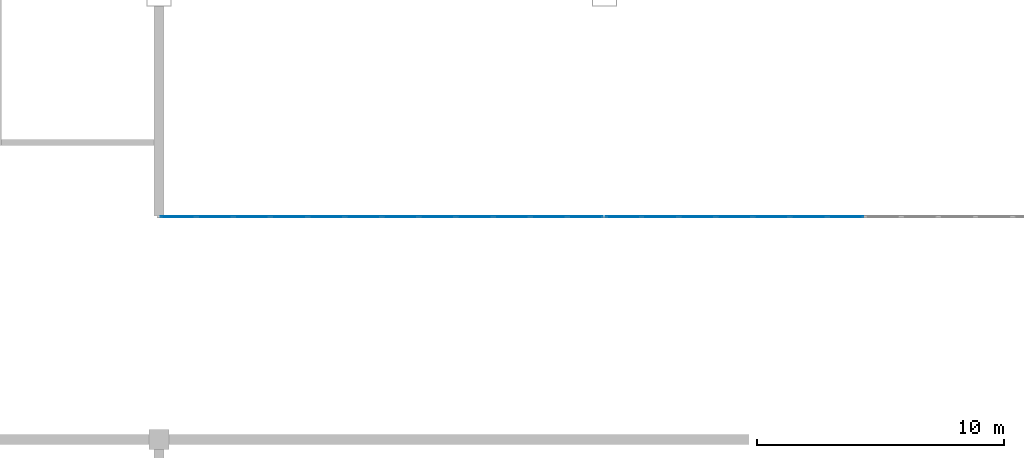
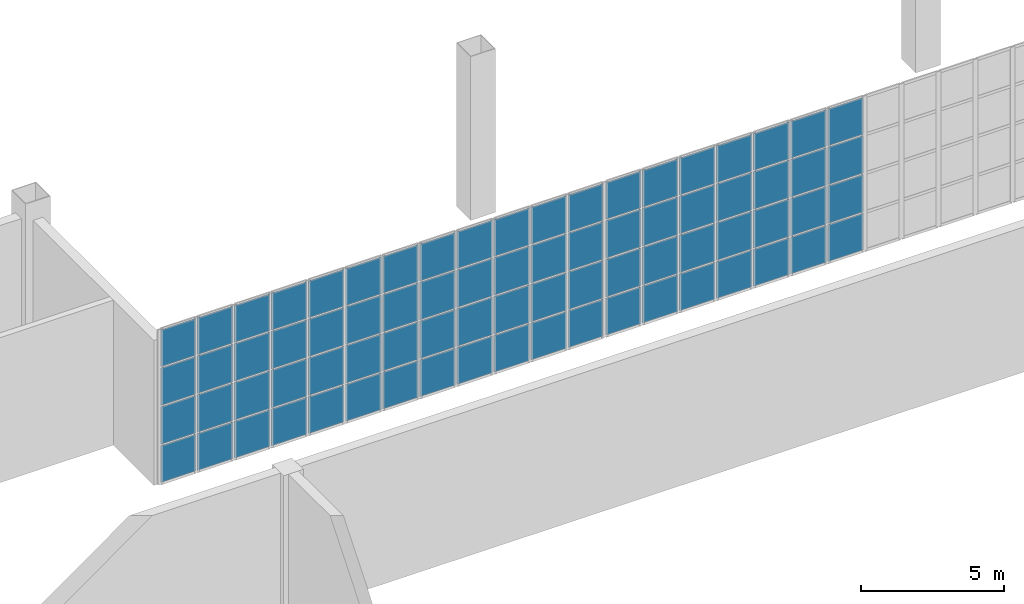
# One storey, part 64 of 85: 76 plates, 2 elements without a shape of their own.
"""IFC4 building model written with IfcOpenShell, lengths in metres."""

from ifc_helpers import new_model, si_unit, direction, frame, origin, origin_2d, place, context, subcontext, project, spatial, rectangle, extrude, material, layer, layer_set, type_object, element, aggregate, save


model = new_model("IFC4")

# Units and contexts
model_context = context("Model", 3, precision=1e-05, world=origin(), true_north=direction((0.0, 1.0)))
body_context = subcontext(model_context, "Body", "Model", "MODEL_VIEW")
ifc_project = project(units=[si_unit("LENGTHUNIT", "METRE"), si_unit("AREAUNIT", "SQUARE_METRE"), si_unit("VOLUMEUNIT", "CUBIC_METRE"), si_unit("PLANEANGLEUNIT", "RADIAN"), si_unit("MASSUNIT", "GRAM", prefix="KILO")], contexts=[model_context])

# Site, building, storey
site_placement = place(None, origin())
site = spatial("IfcSite", under=ifc_project, at=site_placement, CompositionType="ELEMENT")
building_placement = place(site_placement, origin())
building = spatial("IfcBuilding", under=site, at=building_placement, Name="Opaline Strait Convention Centre", CompositionType="ELEMENT")
storey_placement = place(building_placement, frame((0.0, 0.0, 17.0)))
storey = spatial("IfcBuildingStorey", under=building, at=storey_placement, Name="L03", CompositionType="ELEMENT", Elevation=17.0)

# Curtain wall, plates
ifc_material_1 = material(Name="Aluminium framed glazing", Category="aluminium")
ifc_layer_1 = layer(ifc_material_1, 0.199951171875)
ifc_layer_set_1 = layer_set([ifc_layer_1], Name="Aluminium framed glazing")
curtain_wall_type = type_object("IfcCurtainWallType", Name="Entrance curtain wall 1500", PredefinedType="NOTDEFINED", material=ifc_layer_set_1)
curtain_wall_1_placement = place(storey_placement, origin())
curtain_wall_1 = element("IfcCurtainWall", 1, at=curtain_wall_1_placement, inside=storey, type_object=curtain_wall_type, Name="Entrance curtain wall L03-R1", PredefinedType="NOTDEFINED")
ifc_material_2 = material(Name="Double glazed unit low emissivity", Category="glass")
ifc_layer_2 = layer(ifc_material_2, 0.028076171875)
ifc_layer_set_2 = layer_set([ifc_layer_2], Name="Double glazed unit low emissivity")
plate_type = type_object("IfcPlateType", Name="Curtain wall glass panel 28", PredefinedType="CURTAIN_PANEL", material=ifc_layer_set_2)
plate_1_placement = place(storey_placement, frame((153.764892578125, 144.0, 0.06005859375), z_axis=(0.0, 0.0, 1.0), x_axis=(1.0, 0.0, 0.0)))
plate_1 = element("IfcPlate", 2, at=plate_1_placement, type_object=plate_type, Name="XCW panel 1.1", PredefinedType="CURTAIN_PANEL", context=body_context, shape_type="SweptSolid", body=[
    extrude(rectangle(XDim=1.409912109375, YDim=0.028076171875, at=origin_2d()), origin(), (0.0, 0.0, 1.0), 1.570068359375),
])
plate_2_placement = place(storey_placement, frame((153.764892578125, 144.0, 1.68994140625), z_axis=(0.0, 0.0, 1.0), x_axis=(1.0, 0.0, 0.0)))
plate_2 = element("IfcPlate", 3, at=plate_2_placement, type_object=plate_type, Name="XCW panel 1.2", PredefinedType="CURTAIN_PANEL", context=body_context, shape_type="SweptSolid", body=[
    extrude(rectangle(XDim=1.409912109375, YDim=0.028076171875, at=origin_2d()), origin(), (0.0, 0.0, 1.0), 1.60009765625),
])
plate_3_placement = place(storey_placement, frame((153.764892578125, 144.0, 3.349853515625), z_axis=(0.0, 0.0, 1.0), x_axis=(1.0, 0.0, 0.0)))
plate_3 = element("IfcPlate", 4, at=plate_3_placement, type_object=plate_type, Name="XCW panel 1.3", PredefinedType="CURTAIN_PANEL", context=body_context, shape_type="SweptSolid", body=[
    extrude(rectangle(XDim=1.409912109375, YDim=0.028076171875, at=origin_2d()), origin(), (0.0, 0.0, 1.0), 1.60009765625),
])
plate_4_placement = place(storey_placement, frame((153.764892578125, 144.0, 5.009765625), z_axis=(0.0, 0.0, 1.0), x_axis=(1.0, 0.0, 0.0)))
plate_4 = element("IfcPlate", 5, at=plate_4_placement, type_object=plate_type, Name="XCW panel 1.4", PredefinedType="CURTAIN_PANEL", context=body_context, shape_type="SweptSolid", body=[
    extrude(rectangle(XDim=1.409912109375, YDim=0.028076171875, at=origin_2d()), origin(), (0.0, 0.0, 1.0), 1.570068359375),
])
plate_5_placement = place(storey_placement, frame((155.25, 144.0, 0.06005859375), z_axis=(0.0, 0.0, 1.0), x_axis=(1.0, 0.0, 0.0)))
plate_5 = element("IfcPlate", 6, at=plate_5_placement, type_object=plate_type, Name="XCW panel 2.1", PredefinedType="CURTAIN_PANEL", context=body_context, shape_type="SweptSolid", body=[
    extrude(rectangle(XDim=1.43994140625, YDim=0.028076171875, at=origin_2d()), origin(), (0.0, 0.0, 1.0), 1.570068359375),
])
plate_6_placement = place(storey_placement, frame((155.25, 144.0, 1.68994140625), z_axis=(0.0, 0.0, 1.0), x_axis=(1.0, 0.0, 0.0)))
plate_6 = element("IfcPlate", 7, at=plate_6_placement, type_object=plate_type, Name="XCW panel 2.2", PredefinedType="CURTAIN_PANEL", context=body_context, shape_type="SweptSolid", body=[
    extrude(rectangle(XDim=1.43994140625, YDim=0.028076171875, at=origin_2d()), origin(), (0.0, 0.0, 1.0), 1.60009765625),
])
plate_7_placement = place(storey_placement, frame((155.25, 144.0, 3.349853515625), z_axis=(0.0, 0.0, 1.0), x_axis=(1.0, 0.0, 0.0)))
plate_7 = element("IfcPlate", 8, at=plate_7_placement, type_object=plate_type, Name="XCW panel 2.3", PredefinedType="CURTAIN_PANEL", context=body_context, shape_type="SweptSolid", body=[
    extrude(rectangle(XDim=1.43994140625, YDim=0.028076171875, at=origin_2d()), origin(), (0.0, 0.0, 1.0), 1.60009765625),
])
plate_8_placement = place(storey_placement, frame((155.25, 144.0, 5.009765625), z_axis=(0.0, 0.0, 1.0), x_axis=(1.0, 0.0, 0.0)))
plate_8 = element("IfcPlate", 9, at=plate_8_placement, type_object=plate_type, Name="XCW panel 2.4", PredefinedType="CURTAIN_PANEL", context=body_context, shape_type="SweptSolid", body=[
    extrude(rectangle(XDim=1.43994140625, YDim=0.028076171875, at=origin_2d()), origin(), (0.0, 0.0, 1.0), 1.570068359375),
])
plate_9_placement = place(storey_placement, frame((156.75, 144.0, 0.06005859375), z_axis=(0.0, 0.0, 1.0), x_axis=(1.0, 0.0, 0.0)))
plate_9 = element("IfcPlate", 10, at=plate_9_placement, type_object=plate_type, Name="XCW panel 3.1", PredefinedType="CURTAIN_PANEL", context=body_context, shape_type="SweptSolid", body=[
    extrude(rectangle(XDim=1.43994140625, YDim=0.028076171875, at=origin_2d()), origin(), (0.0, 0.0, 1.0), 1.570068359375),
])
plate_10_placement = place(storey_placement, frame((156.75, 144.0, 1.68994140625), z_axis=(0.0, 0.0, 1.0), x_axis=(1.0, 0.0, 0.0)))
plate_10 = element("IfcPlate", 11, at=plate_10_placement, type_object=plate_type, Name="XCW panel 3.2", PredefinedType="CURTAIN_PANEL", context=body_context, shape_type="SweptSolid", body=[
    extrude(rectangle(XDim=1.43994140625, YDim=0.028076171875, at=origin_2d()), origin(), (0.0, 0.0, 1.0), 1.60009765625),
])
plate_11_placement = place(storey_placement, frame((156.75, 144.0, 3.349853515625), z_axis=(0.0, 0.0, 1.0), x_axis=(1.0, 0.0, 0.0)))
plate_11 = element("IfcPlate", 12, at=plate_11_placement, type_object=plate_type, Name="XCW panel 3.3", PredefinedType="CURTAIN_PANEL", context=body_context, shape_type="SweptSolid", body=[
    extrude(rectangle(XDim=1.43994140625, YDim=0.028076171875, at=origin_2d()), origin(), (0.0, 0.0, 1.0), 1.60009765625),
])
plate_12_placement = place(storey_placement, frame((156.75, 144.0, 5.009765625), z_axis=(0.0, 0.0, 1.0), x_axis=(1.0, 0.0, 0.0)))
plate_12 = element("IfcPlate", 13, at=plate_12_placement, type_object=plate_type, Name="XCW panel 3.4", PredefinedType="CURTAIN_PANEL", context=body_context, shape_type="SweptSolid", body=[
    extrude(rectangle(XDim=1.43994140625, YDim=0.028076171875, at=origin_2d()), origin(), (0.0, 0.0, 1.0), 1.570068359375),
])
plate_13_placement = place(storey_placement, frame((158.25, 144.0, 0.06005859375), z_axis=(0.0, 0.0, 1.0), x_axis=(1.0, 0.0, 0.0)))
plate_13 = element("IfcPlate", 14, at=plate_13_placement, type_object=plate_type, Name="XCW panel 4.1", PredefinedType="CURTAIN_PANEL", context=body_context, shape_type="SweptSolid", body=[
    extrude(rectangle(XDim=1.43994140625, YDim=0.028076171875, at=origin_2d()), origin(), (0.0, 0.0, 1.0), 1.570068359375),
])
plate_14_placement = place(storey_placement, frame((158.25, 144.0, 1.68994140625), z_axis=(0.0, 0.0, 1.0), x_axis=(1.0, 0.0, 0.0)))
plate_14 = element("IfcPlate", 15, at=plate_14_placement, type_object=plate_type, Name="XCW panel 4.2", PredefinedType="CURTAIN_PANEL", context=body_context, shape_type="SweptSolid", body=[
    extrude(rectangle(XDim=1.43994140625, YDim=0.028076171875, at=origin_2d()), origin(), (0.0, 0.0, 1.0), 1.60009765625),
])
plate_15_placement = place(storey_placement, frame((158.25, 144.0, 3.349853515625), z_axis=(0.0, 0.0, 1.0), x_axis=(1.0, 0.0, 0.0)))
plate_15 = element("IfcPlate", 16, at=plate_15_placement, type_object=plate_type, Name="XCW panel 4.3", PredefinedType="CURTAIN_PANEL", context=body_context, shape_type="SweptSolid", body=[
    extrude(rectangle(XDim=1.43994140625, YDim=0.028076171875, at=origin_2d()), origin(), (0.0, 0.0, 1.0), 1.60009765625),
])
plate_16_placement = place(storey_placement, frame((158.25, 144.0, 5.009765625), z_axis=(0.0, 0.0, 1.0), x_axis=(1.0, 0.0, 0.0)))
plate_16 = element("IfcPlate", 17, at=plate_16_placement, type_object=plate_type, Name="XCW panel 4.4", PredefinedType="CURTAIN_PANEL", context=body_context, shape_type="SweptSolid", body=[
    extrude(rectangle(XDim=1.43994140625, YDim=0.028076171875, at=origin_2d()), origin(), (0.0, 0.0, 1.0), 1.570068359375),
])
plate_17_placement = place(storey_placement, frame((159.75, 144.0, 0.06005859375), z_axis=(0.0, 0.0, 1.0), x_axis=(1.0, 0.0, 0.0)))
plate_17 = element("IfcPlate", 18, at=plate_17_placement, type_object=plate_type, Name="XCW panel 5.1", PredefinedType="CURTAIN_PANEL", context=body_context, shape_type="SweptSolid", body=[
    extrude(rectangle(XDim=1.43994140625, YDim=0.028076171875, at=origin_2d()), origin(), (0.0, 0.0, 1.0), 1.570068359375),
])
plate_18_placement = place(storey_placement, frame((159.75, 144.0, 1.68994140625), z_axis=(0.0, 0.0, 1.0), x_axis=(1.0, 0.0, 0.0)))
plate_18 = element("IfcPlate", 19, at=plate_18_placement, type_object=plate_type, Name="XCW panel 5.2", PredefinedType="CURTAIN_PANEL", context=body_context, shape_type="SweptSolid", body=[
    extrude(rectangle(XDim=1.43994140625, YDim=0.028076171875, at=origin_2d()), origin(), (0.0, 0.0, 1.0), 1.60009765625),
])
plate_19_placement = place(storey_placement, frame((159.75, 144.0, 3.349853515625), z_axis=(0.0, 0.0, 1.0), x_axis=(1.0, 0.0, 0.0)))
plate_19 = element("IfcPlate", 20, at=plate_19_placement, type_object=plate_type, Name="XCW panel 5.3", PredefinedType="CURTAIN_PANEL", context=body_context, shape_type="SweptSolid", body=[
    extrude(rectangle(XDim=1.43994140625, YDim=0.028076171875, at=origin_2d()), origin(), (0.0, 0.0, 1.0), 1.60009765625),
])
plate_20_placement = place(storey_placement, frame((159.75, 144.0, 5.009765625), z_axis=(0.0, 0.0, 1.0), x_axis=(1.0, 0.0, 0.0)))
plate_20 = element("IfcPlate", 21, at=plate_20_placement, type_object=plate_type, Name="XCW panel 5.4", PredefinedType="CURTAIN_PANEL", context=body_context, shape_type="SweptSolid", body=[
    extrude(rectangle(XDim=1.43994140625, YDim=0.028076171875, at=origin_2d()), origin(), (0.0, 0.0, 1.0), 1.570068359375),
])
plate_21_placement = place(storey_placement, frame((161.25, 144.0, 0.06005859375), z_axis=(0.0, 0.0, 1.0), x_axis=(1.0, 0.0, 0.0)))
plate_21 = element("IfcPlate", 22, at=plate_21_placement, type_object=plate_type, Name="XCW panel 6.1", PredefinedType="CURTAIN_PANEL", context=body_context, shape_type="SweptSolid", body=[
    extrude(rectangle(XDim=1.43994140625, YDim=0.028076171875, at=origin_2d()), origin(), (0.0, 0.0, 1.0), 1.570068359375),
])
plate_22_placement = place(storey_placement, frame((161.25, 144.0, 1.68994140625), z_axis=(0.0, 0.0, 1.0), x_axis=(1.0, 0.0, 0.0)))
plate_22 = element("IfcPlate", 23, at=plate_22_placement, type_object=plate_type, Name="XCW panel 6.2", PredefinedType="CURTAIN_PANEL", context=body_context, shape_type="SweptSolid", body=[
    extrude(rectangle(XDim=1.43994140625, YDim=0.028076171875, at=origin_2d()), origin(), (0.0, 0.0, 1.0), 1.60009765625),
])
plate_23_placement = place(storey_placement, frame((161.25, 144.0, 3.349853515625), z_axis=(0.0, 0.0, 1.0), x_axis=(1.0, 0.0, 0.0)))
plate_23 = element("IfcPlate", 24, at=plate_23_placement, type_object=plate_type, Name="XCW panel 6.3", PredefinedType="CURTAIN_PANEL", context=body_context, shape_type="SweptSolid", body=[
    extrude(rectangle(XDim=1.43994140625, YDim=0.028076171875, at=origin_2d()), origin(), (0.0, 0.0, 1.0), 1.60009765625),
])
plate_24_placement = place(storey_placement, frame((161.25, 144.0, 5.009765625), z_axis=(0.0, 0.0, 1.0), x_axis=(1.0, 0.0, 0.0)))
plate_24 = element("IfcPlate", 25, at=plate_24_placement, type_object=plate_type, Name="XCW panel 6.4", PredefinedType="CURTAIN_PANEL", context=body_context, shape_type="SweptSolid", body=[
    extrude(rectangle(XDim=1.43994140625, YDim=0.028076171875, at=origin_2d()), origin(), (0.0, 0.0, 1.0), 1.570068359375),
])
plate_25_placement = place(storey_placement, frame((162.75, 144.0, 0.06005859375), z_axis=(0.0, 0.0, 1.0), x_axis=(1.0, 0.0, 0.0)))
plate_25 = element("IfcPlate", 26, at=plate_25_placement, type_object=plate_type, Name="XCW panel 7.1", PredefinedType="CURTAIN_PANEL", context=body_context, shape_type="SweptSolid", body=[
    extrude(rectangle(XDim=1.43994140625, YDim=0.028076171875, at=origin_2d()), origin(), (0.0, 0.0, 1.0), 1.570068359375),
])
plate_26_placement = place(storey_placement, frame((162.75, 144.0, 1.68994140625), z_axis=(0.0, 0.0, 1.0), x_axis=(1.0, 0.0, 0.0)))
plate_26 = element("IfcPlate", 27, at=plate_26_placement, type_object=plate_type, Name="XCW panel 7.2", PredefinedType="CURTAIN_PANEL", context=body_context, shape_type="SweptSolid", body=[
    extrude(rectangle(XDim=1.43994140625, YDim=0.028076171875, at=origin_2d()), origin(), (0.0, 0.0, 1.0), 1.60009765625),
])
plate_27_placement = place(storey_placement, frame((162.75, 144.0, 3.349853515625), z_axis=(0.0, 0.0, 1.0), x_axis=(1.0, 0.0, 0.0)))
plate_27 = element("IfcPlate", 28, at=plate_27_placement, type_object=plate_type, Name="XCW panel 7.3", PredefinedType="CURTAIN_PANEL", context=body_context, shape_type="SweptSolid", body=[
    extrude(rectangle(XDim=1.43994140625, YDim=0.028076171875, at=origin_2d()), origin(), (0.0, 0.0, 1.0), 1.60009765625),
])
plate_28_placement = place(storey_placement, frame((162.75, 144.0, 5.009765625), z_axis=(0.0, 0.0, 1.0), x_axis=(1.0, 0.0, 0.0)))
plate_28 = element("IfcPlate", 29, at=plate_28_placement, type_object=plate_type, Name="XCW panel 7.4", PredefinedType="CURTAIN_PANEL", context=body_context, shape_type="SweptSolid", body=[
    extrude(rectangle(XDim=1.43994140625, YDim=0.028076171875, at=origin_2d()), origin(), (0.0, 0.0, 1.0), 1.570068359375),
])
plate_29_placement = place(storey_placement, frame((164.25, 144.0, 0.06005859375), z_axis=(0.0, 0.0, 1.0), x_axis=(1.0, 0.0, 0.0)))
plate_29 = element("IfcPlate", 30, at=plate_29_placement, type_object=plate_type, Name="XCW panel 8.1", PredefinedType="CURTAIN_PANEL", context=body_context, shape_type="SweptSolid", body=[
    extrude(rectangle(XDim=1.43994140625, YDim=0.028076171875, at=origin_2d()), origin(), (0.0, 0.0, 1.0), 1.570068359375),
])
plate_30_placement = place(storey_placement, frame((164.25, 144.0, 1.68994140625), z_axis=(0.0, 0.0, 1.0), x_axis=(1.0, 0.0, 0.0)))
plate_30 = element("IfcPlate", 31, at=plate_30_placement, type_object=plate_type, Name="XCW panel 8.2", PredefinedType="CURTAIN_PANEL", context=body_context, shape_type="SweptSolid", body=[
    extrude(rectangle(XDim=1.43994140625, YDim=0.028076171875, at=origin_2d()), origin(), (0.0, 0.0, 1.0), 1.60009765625),
])
plate_31_placement = place(storey_placement, frame((164.25, 144.0, 3.349853515625), z_axis=(0.0, 0.0, 1.0), x_axis=(1.0, 0.0, 0.0)))
plate_31 = element("IfcPlate", 32, at=plate_31_placement, type_object=plate_type, Name="XCW panel 8.3", PredefinedType="CURTAIN_PANEL", context=body_context, shape_type="SweptSolid", body=[
    extrude(rectangle(XDim=1.43994140625, YDim=0.028076171875, at=origin_2d()), origin(), (0.0, 0.0, 1.0), 1.60009765625),
])
plate_32_placement = place(storey_placement, frame((164.25, 144.0, 5.009765625), z_axis=(0.0, 0.0, 1.0), x_axis=(1.0, 0.0, 0.0)))
plate_32 = element("IfcPlate", 33, at=plate_32_placement, type_object=plate_type, Name="XCW panel 8.4", PredefinedType="CURTAIN_PANEL", context=body_context, shape_type="SweptSolid", body=[
    extrude(rectangle(XDim=1.43994140625, YDim=0.028076171875, at=origin_2d()), origin(), (0.0, 0.0, 1.0), 1.570068359375),
])
plate_33_placement = place(storey_placement, frame((165.75, 144.0, 0.06005859375), z_axis=(0.0, 0.0, 1.0), x_axis=(1.0, 0.0, 0.0)))
plate_33 = element("IfcPlate", 34, at=plate_33_placement, type_object=plate_type, Name="XCW panel 9.1", PredefinedType="CURTAIN_PANEL", context=body_context, shape_type="SweptSolid", body=[
    extrude(rectangle(XDim=1.43994140625, YDim=0.028076171875, at=origin_2d()), origin(), (0.0, 0.0, 1.0), 1.570068359375),
])
plate_34_placement = place(storey_placement, frame((165.75, 144.0, 1.68994140625), z_axis=(0.0, 0.0, 1.0), x_axis=(1.0, 0.0, 0.0)))
plate_34 = element("IfcPlate", 35, at=plate_34_placement, type_object=plate_type, Name="XCW panel 9.2", PredefinedType="CURTAIN_PANEL", context=body_context, shape_type="SweptSolid", body=[
    extrude(rectangle(XDim=1.43994140625, YDim=0.028076171875, at=origin_2d()), origin(), (0.0, 0.0, 1.0), 1.60009765625),
])
plate_35_placement = place(storey_placement, frame((165.75, 144.0, 3.349853515625), z_axis=(0.0, 0.0, 1.0), x_axis=(1.0, 0.0, 0.0)))
plate_35 = element("IfcPlate", 36, at=plate_35_placement, type_object=plate_type, Name="XCW panel 9.3", PredefinedType="CURTAIN_PANEL", context=body_context, shape_type="SweptSolid", body=[
    extrude(rectangle(XDim=1.43994140625, YDim=0.028076171875, at=origin_2d()), origin(), (0.0, 0.0, 1.0), 1.60009765625),
])
plate_36_placement = place(storey_placement, frame((165.75, 144.0, 5.009765625), z_axis=(0.0, 0.0, 1.0), x_axis=(1.0, 0.0, 0.0)))
plate_36 = element("IfcPlate", 37, at=plate_36_placement, type_object=plate_type, Name="XCW panel 9.4", PredefinedType="CURTAIN_PANEL", context=body_context, shape_type="SweptSolid", body=[
    extrude(rectangle(XDim=1.43994140625, YDim=0.028076171875, at=origin_2d()), origin(), (0.0, 0.0, 1.0), 1.570068359375),
])
plate_37_placement = place(storey_placement, frame((167.25, 144.0, 0.06005859375), z_axis=(0.0, 0.0, 1.0), x_axis=(1.0, 0.0, 0.0)))
plate_37 = element("IfcPlate", 38, at=plate_37_placement, type_object=plate_type, Name="XCW panel 10.1", PredefinedType="CURTAIN_PANEL", context=body_context, shape_type="SweptSolid", body=[
    extrude(rectangle(XDim=1.43994140625, YDim=0.028076171875, at=origin_2d()), origin(), (0.0, 0.0, 1.0), 1.570068359375),
])
plate_38_placement = place(storey_placement, frame((167.25, 144.0, 1.68994140625), z_axis=(0.0, 0.0, 1.0), x_axis=(1.0, 0.0, 0.0)))
plate_38 = element("IfcPlate", 39, at=plate_38_placement, type_object=plate_type, Name="XCW panel 10.2", PredefinedType="CURTAIN_PANEL", context=body_context, shape_type="SweptSolid", body=[
    extrude(rectangle(XDim=1.43994140625, YDim=0.028076171875, at=origin_2d()), origin(), (0.0, 0.0, 1.0), 1.60009765625),
])
plate_39_placement = place(storey_placement, frame((167.25, 144.0, 3.349853515625), z_axis=(0.0, 0.0, 1.0), x_axis=(1.0, 0.0, 0.0)))
plate_39 = element("IfcPlate", 40, at=plate_39_placement, type_object=plate_type, Name="XCW panel 10.3", PredefinedType="CURTAIN_PANEL", context=body_context, shape_type="SweptSolid", body=[
    extrude(rectangle(XDim=1.43994140625, YDim=0.028076171875, at=origin_2d()), origin(), (0.0, 0.0, 1.0), 1.60009765625),
])
plate_40_placement = place(storey_placement, frame((167.25, 144.0, 5.009765625), z_axis=(0.0, 0.0, 1.0), x_axis=(1.0, 0.0, 0.0)))
plate_40 = element("IfcPlate", 41, at=plate_40_placement, type_object=plate_type, Name="XCW panel 10.4", PredefinedType="CURTAIN_PANEL", context=body_context, shape_type="SweptSolid", body=[
    extrude(rectangle(XDim=1.43994140625, YDim=0.028076171875, at=origin_2d()), origin(), (0.0, 0.0, 1.0), 1.570068359375),
])
plate_41_placement = place(storey_placement, frame((168.75, 144.0, 0.06005859375), z_axis=(0.0, 0.0, 1.0), x_axis=(1.0, 0.0, 0.0)))
plate_41 = element("IfcPlate", 42, at=plate_41_placement, type_object=plate_type, Name="XCW panel 11.1", PredefinedType="CURTAIN_PANEL", context=body_context, shape_type="SweptSolid", body=[
    extrude(rectangle(XDim=1.43994140625, YDim=0.028076171875, at=origin_2d()), origin(), (0.0, 0.0, 1.0), 1.570068359375),
])
plate_42_placement = place(storey_placement, frame((168.75, 144.0, 1.68994140625), z_axis=(0.0, 0.0, 1.0), x_axis=(1.0, 0.0, 0.0)))
plate_42 = element("IfcPlate", 43, at=plate_42_placement, type_object=plate_type, Name="XCW panel 11.2", PredefinedType="CURTAIN_PANEL", context=body_context, shape_type="SweptSolid", body=[
    extrude(rectangle(XDim=1.43994140625, YDim=0.028076171875, at=origin_2d()), origin(), (0.0, 0.0, 1.0), 1.60009765625),
])
plate_43_placement = place(storey_placement, frame((168.75, 144.0, 3.349853515625), z_axis=(0.0, 0.0, 1.0), x_axis=(1.0, 0.0, 0.0)))
plate_43 = element("IfcPlate", 44, at=plate_43_placement, type_object=plate_type, Name="XCW panel 11.3", PredefinedType="CURTAIN_PANEL", context=body_context, shape_type="SweptSolid", body=[
    extrude(rectangle(XDim=1.43994140625, YDim=0.028076171875, at=origin_2d()), origin(), (0.0, 0.0, 1.0), 1.60009765625),
])
plate_44_placement = place(storey_placement, frame((168.75, 144.0, 5.009765625), z_axis=(0.0, 0.0, 1.0), x_axis=(1.0, 0.0, 0.0)))
plate_44 = element("IfcPlate", 45, at=plate_44_placement, type_object=plate_type, Name="XCW panel 11.4", PredefinedType="CURTAIN_PANEL", context=body_context, shape_type="SweptSolid", body=[
    extrude(rectangle(XDim=1.43994140625, YDim=0.028076171875, at=origin_2d()), origin(), (0.0, 0.0, 1.0), 1.570068359375),
])
plate_45_placement = place(storey_placement, frame((170.235107421875, 144.0, 0.06005859375), z_axis=(0.0, 0.0, 1.0), x_axis=(1.0, 0.0, 0.0)))
plate_45 = element("IfcPlate", 46, at=plate_45_placement, type_object=plate_type, Name="XCW panel 12.1", PredefinedType="CURTAIN_PANEL", context=body_context, shape_type="SweptSolid", body=[
    extrude(rectangle(XDim=1.409912109375, YDim=0.028076171875, at=origin_2d()), origin(), (0.0, 0.0, 1.0), 1.570068359375),
])
plate_46_placement = place(storey_placement, frame((170.235107421875, 144.0, 1.68994140625), z_axis=(0.0, 0.0, 1.0), x_axis=(1.0, 0.0, 0.0)))
plate_46 = element("IfcPlate", 47, at=plate_46_placement, type_object=plate_type, Name="XCW panel 12.2", PredefinedType="CURTAIN_PANEL", context=body_context, shape_type="SweptSolid", body=[
    extrude(rectangle(XDim=1.409912109375, YDim=0.028076171875, at=origin_2d()), origin(), (0.0, 0.0, 1.0), 1.60009765625),
])
plate_47_placement = place(storey_placement, frame((170.235107421875, 144.0, 3.349853515625), z_axis=(0.0, 0.0, 1.0), x_axis=(1.0, 0.0, 0.0)))
plate_47 = element("IfcPlate", 48, at=plate_47_placement, type_object=plate_type, Name="XCW panel 12.3", PredefinedType="CURTAIN_PANEL", context=body_context, shape_type="SweptSolid", body=[
    extrude(rectangle(XDim=1.409912109375, YDim=0.028076171875, at=origin_2d()), origin(), (0.0, 0.0, 1.0), 1.60009765625),
])
plate_48_placement = place(storey_placement, frame((170.235107421875, 144.0, 5.009765625), z_axis=(0.0, 0.0, 1.0), x_axis=(1.0, 0.0, 0.0)))
plate_48 = element("IfcPlate", 49, at=plate_48_placement, type_object=plate_type, Name="XCW panel 12.4", PredefinedType="CURTAIN_PANEL", context=body_context, shape_type="SweptSolid", body=[
    extrude(rectangle(XDim=1.409912109375, YDim=0.028076171875, at=origin_2d()), origin(), (0.0, 0.0, 1.0), 1.570068359375),
])
aggregate(curtain_wall_1, [plate_1, plate_2, plate_3, plate_4, plate_5, plate_6, plate_7, plate_8, plate_9, plate_10, plate_11, plate_12, plate_13, plate_14, plate_15, plate_16, plate_17, plate_18, plate_19, plate_20, plate_21, plate_22, plate_23, plate_24, plate_25, plate_26, plate_27, plate_28, plate_29, plate_30, plate_31, plate_32, plate_33, plate_34, plate_35, plate_36, plate_37, plate_38, plate_39, plate_40, plate_41, plate_42, plate_43, plate_44, plate_45, plate_46, plate_47, plate_48])

curtain_wall_2_placement = place(storey_placement, origin())
curtain_wall_2 = element("IfcCurtainWall", 50, at=curtain_wall_2_placement, inside=storey, type_object=curtain_wall_type, Name="Entrance curtain wall L03-R2", PredefinedType="NOTDEFINED")
plate_49_placement = place(storey_placement, frame((171.764892578125, 144.0, 0.06005859375), z_axis=(0.0, 0.0, 1.0), x_axis=(1.0, 0.0, 0.0)))
plate_49 = element("IfcPlate", 51, at=plate_49_placement, type_object=plate_type, Name="XCW panel 1.1", PredefinedType="CURTAIN_PANEL", context=body_context, shape_type="SweptSolid", body=[
    extrude(rectangle(XDim=1.409912109375, YDim=0.028076171875, at=origin_2d()), origin(), (0.0, 0.0, 1.0), 1.570068359375),
])
plate_50_placement = place(storey_placement, frame((171.764892578125, 144.0, 1.68994140625), z_axis=(0.0, 0.0, 1.0), x_axis=(1.0, 0.0, 0.0)))
plate_50 = element("IfcPlate", 52, at=plate_50_placement, type_object=plate_type, Name="XCW panel 1.2", PredefinedType="CURTAIN_PANEL", context=body_context, shape_type="SweptSolid", body=[
    extrude(rectangle(XDim=1.409912109375, YDim=0.028076171875, at=origin_2d()), origin(), (0.0, 0.0, 1.0), 1.60009765625),
])
plate_51_placement = place(storey_placement, frame((171.764892578125, 144.0, 3.349853515625), z_axis=(0.0, 0.0, 1.0), x_axis=(1.0, 0.0, 0.0)))
plate_51 = element("IfcPlate", 53, at=plate_51_placement, type_object=plate_type, Name="XCW panel 1.3", PredefinedType="CURTAIN_PANEL", context=body_context, shape_type="SweptSolid", body=[
    extrude(rectangle(XDim=1.409912109375, YDim=0.028076171875, at=origin_2d()), origin(), (0.0, 0.0, 1.0), 1.60009765625),
])
plate_52_placement = place(storey_placement, frame((171.764892578125, 144.0, 5.009765625), z_axis=(0.0, 0.0, 1.0), x_axis=(1.0, 0.0, 0.0)))
plate_52 = element("IfcPlate", 54, at=plate_52_placement, type_object=plate_type, Name="XCW panel 1.4", PredefinedType="CURTAIN_PANEL", context=body_context, shape_type="SweptSolid", body=[
    extrude(rectangle(XDim=1.409912109375, YDim=0.028076171875, at=origin_2d()), origin(), (0.0, 0.0, 1.0), 1.570068359375),
])
plate_53_placement = place(storey_placement, frame((173.25, 144.0, 0.06005859375), z_axis=(0.0, 0.0, 1.0), x_axis=(1.0, 0.0, 0.0)))
plate_53 = element("IfcPlate", 55, at=plate_53_placement, type_object=plate_type, Name="XCW panel 2.1", PredefinedType="CURTAIN_PANEL", context=body_context, shape_type="SweptSolid", body=[
    extrude(rectangle(XDim=1.43994140625, YDim=0.028076171875, at=origin_2d()), origin(), (0.0, 0.0, 1.0), 1.570068359375),
])
plate_54_placement = place(storey_placement, frame((173.25, 144.0, 1.68994140625), z_axis=(0.0, 0.0, 1.0), x_axis=(1.0, 0.0, 0.0)))
plate_54 = element("IfcPlate", 56, at=plate_54_placement, type_object=plate_type, Name="XCW panel 2.2", PredefinedType="CURTAIN_PANEL", context=body_context, shape_type="SweptSolid", body=[
    extrude(rectangle(XDim=1.43994140625, YDim=0.028076171875, at=origin_2d()), origin(), (0.0, 0.0, 1.0), 1.60009765625),
])
plate_55_placement = place(storey_placement, frame((173.25, 144.0, 3.349853515625), z_axis=(0.0, 0.0, 1.0), x_axis=(1.0, 0.0, 0.0)))
plate_55 = element("IfcPlate", 57, at=plate_55_placement, type_object=plate_type, Name="XCW panel 2.3", PredefinedType="CURTAIN_PANEL", context=body_context, shape_type="SweptSolid", body=[
    extrude(rectangle(XDim=1.43994140625, YDim=0.028076171875, at=origin_2d()), origin(), (0.0, 0.0, 1.0), 1.60009765625),
])
plate_56_placement = place(storey_placement, frame((173.25, 144.0, 5.009765625), z_axis=(0.0, 0.0, 1.0), x_axis=(1.0, 0.0, 0.0)))
plate_56 = element("IfcPlate", 58, at=plate_56_placement, type_object=plate_type, Name="XCW panel 2.4", PredefinedType="CURTAIN_PANEL", context=body_context, shape_type="SweptSolid", body=[
    extrude(rectangle(XDim=1.43994140625, YDim=0.028076171875, at=origin_2d()), origin(), (0.0, 0.0, 1.0), 1.570068359375),
])
plate_57_placement = place(storey_placement, frame((174.75, 144.0, 0.06005859375), z_axis=(0.0, 0.0, 1.0), x_axis=(1.0, 0.0, 0.0)))
plate_57 = element("IfcPlate", 59, at=plate_57_placement, type_object=plate_type, Name="XCW panel 3.1", PredefinedType="CURTAIN_PANEL", context=body_context, shape_type="SweptSolid", body=[
    extrude(rectangle(XDim=1.43994140625, YDim=0.028076171875, at=origin_2d()), origin(), (0.0, 0.0, 1.0), 1.570068359375),
])
plate_58_placement = place(storey_placement, frame((174.75, 144.0, 1.68994140625), z_axis=(0.0, 0.0, 1.0), x_axis=(1.0, 0.0, 0.0)))
plate_58 = element("IfcPlate", 60, at=plate_58_placement, type_object=plate_type, Name="XCW panel 3.2", PredefinedType="CURTAIN_PANEL", context=body_context, shape_type="SweptSolid", body=[
    extrude(rectangle(XDim=1.43994140625, YDim=0.028076171875, at=origin_2d()), origin(), (0.0, 0.0, 1.0), 1.60009765625),
])
plate_59_placement = place(storey_placement, frame((174.75, 144.0, 3.349853515625), z_axis=(0.0, 0.0, 1.0), x_axis=(1.0, 0.0, 0.0)))
plate_59 = element("IfcPlate", 61, at=plate_59_placement, type_object=plate_type, Name="XCW panel 3.3", PredefinedType="CURTAIN_PANEL", context=body_context, shape_type="SweptSolid", body=[
    extrude(rectangle(XDim=1.43994140625, YDim=0.028076171875, at=origin_2d()), origin(), (0.0, 0.0, 1.0), 1.60009765625),
])
plate_60_placement = place(storey_placement, frame((174.75, 144.0, 5.009765625), z_axis=(0.0, 0.0, 1.0), x_axis=(1.0, 0.0, 0.0)))
plate_60 = element("IfcPlate", 62, at=plate_60_placement, type_object=plate_type, Name="XCW panel 3.4", PredefinedType="CURTAIN_PANEL", context=body_context, shape_type="SweptSolid", body=[
    extrude(rectangle(XDim=1.43994140625, YDim=0.028076171875, at=origin_2d()), origin(), (0.0, 0.0, 1.0), 1.570068359375),
])
plate_61_placement = place(storey_placement, frame((176.25, 144.0, 0.06005859375), z_axis=(0.0, 0.0, 1.0), x_axis=(1.0, 0.0, 0.0)))
plate_61 = element("IfcPlate", 63, at=plate_61_placement, type_object=plate_type, Name="XCW panel 4.1", PredefinedType="CURTAIN_PANEL", context=body_context, shape_type="SweptSolid", body=[
    extrude(rectangle(XDim=1.43994140625, YDim=0.028076171875, at=origin_2d()), origin(), (0.0, 0.0, 1.0), 1.570068359375),
])
plate_62_placement = place(storey_placement, frame((176.25, 144.0, 1.68994140625), z_axis=(0.0, 0.0, 1.0), x_axis=(1.0, 0.0, 0.0)))
plate_62 = element("IfcPlate", 64, at=plate_62_placement, type_object=plate_type, Name="XCW panel 4.2", PredefinedType="CURTAIN_PANEL", context=body_context, shape_type="SweptSolid", body=[
    extrude(rectangle(XDim=1.43994140625, YDim=0.028076171875, at=origin_2d()), origin(), (0.0, 0.0, 1.0), 1.60009765625),
])
plate_63_placement = place(storey_placement, frame((176.25, 144.0, 3.349853515625), z_axis=(0.0, 0.0, 1.0), x_axis=(1.0, 0.0, 0.0)))
plate_63 = element("IfcPlate", 65, at=plate_63_placement, type_object=plate_type, Name="XCW panel 4.3", PredefinedType="CURTAIN_PANEL", context=body_context, shape_type="SweptSolid", body=[
    extrude(rectangle(XDim=1.43994140625, YDim=0.028076171875, at=origin_2d()), origin(), (0.0, 0.0, 1.0), 1.60009765625),
])
plate_64_placement = place(storey_placement, frame((176.25, 144.0, 5.009765625), z_axis=(0.0, 0.0, 1.0), x_axis=(1.0, 0.0, 0.0)))
plate_64 = element("IfcPlate", 66, at=plate_64_placement, type_object=plate_type, Name="XCW panel 4.4", PredefinedType="CURTAIN_PANEL", context=body_context, shape_type="SweptSolid", body=[
    extrude(rectangle(XDim=1.43994140625, YDim=0.028076171875, at=origin_2d()), origin(), (0.0, 0.0, 1.0), 1.570068359375),
])
plate_65_placement = place(storey_placement, frame((177.75, 144.0, 0.06005859375), z_axis=(0.0, 0.0, 1.0), x_axis=(1.0, 0.0, 0.0)))
plate_65 = element("IfcPlate", 67, at=plate_65_placement, type_object=plate_type, Name="XCW panel 5.1", PredefinedType="CURTAIN_PANEL", context=body_context, shape_type="SweptSolid", body=[
    extrude(rectangle(XDim=1.43994140625, YDim=0.028076171875, at=origin_2d()), origin(), (0.0, 0.0, 1.0), 1.570068359375),
])
plate_66_placement = place(storey_placement, frame((177.75, 144.0, 1.68994140625), z_axis=(0.0, 0.0, 1.0), x_axis=(1.0, 0.0, 0.0)))
plate_66 = element("IfcPlate", 68, at=plate_66_placement, type_object=plate_type, Name="XCW panel 5.2", PredefinedType="CURTAIN_PANEL", context=body_context, shape_type="SweptSolid", body=[
    extrude(rectangle(XDim=1.43994140625, YDim=0.028076171875, at=origin_2d()), origin(), (0.0, 0.0, 1.0), 1.60009765625),
])
plate_67_placement = place(storey_placement, frame((177.75, 144.0, 3.349853515625), z_axis=(0.0, 0.0, 1.0), x_axis=(1.0, 0.0, 0.0)))
plate_67 = element("IfcPlate", 69, at=plate_67_placement, type_object=plate_type, Name="XCW panel 5.3", PredefinedType="CURTAIN_PANEL", context=body_context, shape_type="SweptSolid", body=[
    extrude(rectangle(XDim=1.43994140625, YDim=0.028076171875, at=origin_2d()), origin(), (0.0, 0.0, 1.0), 1.60009765625),
])
plate_68_placement = place(storey_placement, frame((177.75, 144.0, 5.009765625), z_axis=(0.0, 0.0, 1.0), x_axis=(1.0, 0.0, 0.0)))
plate_68 = element("IfcPlate", 70, at=plate_68_placement, type_object=plate_type, Name="XCW panel 5.4", PredefinedType="CURTAIN_PANEL", context=body_context, shape_type="SweptSolid", body=[
    extrude(rectangle(XDim=1.43994140625, YDim=0.028076171875, at=origin_2d()), origin(), (0.0, 0.0, 1.0), 1.570068359375),
])
plate_69_placement = place(storey_placement, frame((179.25, 144.0, 0.06005859375), z_axis=(0.0, 0.0, 1.0), x_axis=(1.0, 0.0, 0.0)))
plate_69 = element("IfcPlate", 71, at=plate_69_placement, type_object=plate_type, Name="XCW panel 6.1", PredefinedType="CURTAIN_PANEL", context=body_context, shape_type="SweptSolid", body=[
    extrude(rectangle(XDim=1.43994140625, YDim=0.028076171875, at=origin_2d()), origin(), (0.0, 0.0, 1.0), 1.570068359375),
])
plate_70_placement = place(storey_placement, frame((179.25, 144.0, 1.68994140625), z_axis=(0.0, 0.0, 1.0), x_axis=(1.0, 0.0, 0.0)))
plate_70 = element("IfcPlate", 72, at=plate_70_placement, type_object=plate_type, Name="XCW panel 6.2", PredefinedType="CURTAIN_PANEL", context=body_context, shape_type="SweptSolid", body=[
    extrude(rectangle(XDim=1.43994140625, YDim=0.028076171875, at=origin_2d()), origin(), (0.0, 0.0, 1.0), 1.60009765625),
])
plate_71_placement = place(storey_placement, frame((179.25, 144.0, 3.349853515625), z_axis=(0.0, 0.0, 1.0), x_axis=(1.0, 0.0, 0.0)))
plate_71 = element("IfcPlate", 73, at=plate_71_placement, type_object=plate_type, Name="XCW panel 6.3", PredefinedType="CURTAIN_PANEL", context=body_context, shape_type="SweptSolid", body=[
    extrude(rectangle(XDim=1.43994140625, YDim=0.028076171875, at=origin_2d()), origin(), (0.0, 0.0, 1.0), 1.60009765625),
])
plate_72_placement = place(storey_placement, frame((179.25, 144.0, 5.009765625), z_axis=(0.0, 0.0, 1.0), x_axis=(1.0, 0.0, 0.0)))
plate_72 = element("IfcPlate", 74, at=plate_72_placement, type_object=plate_type, Name="XCW panel 6.4", PredefinedType="CURTAIN_PANEL", context=body_context, shape_type="SweptSolid", body=[
    extrude(rectangle(XDim=1.43994140625, YDim=0.028076171875, at=origin_2d()), origin(), (0.0, 0.0, 1.0), 1.570068359375),
])
plate_73_placement = place(storey_placement, frame((180.75, 144.0, 0.06005859375), z_axis=(0.0, 0.0, 1.0), x_axis=(1.0, 0.0, 0.0)))
plate_73 = element("IfcPlate", 75, at=plate_73_placement, type_object=plate_type, Name="XCW panel 7.1", PredefinedType="CURTAIN_PANEL", context=body_context, shape_type="SweptSolid", body=[
    extrude(rectangle(XDim=1.43994140625, YDim=0.028076171875, at=origin_2d()), origin(), (0.0, 0.0, 1.0), 1.570068359375),
])
plate_74_placement = place(storey_placement, frame((180.75, 144.0, 1.68994140625), z_axis=(0.0, 0.0, 1.0), x_axis=(1.0, 0.0, 0.0)))
plate_74 = element("IfcPlate", 76, at=plate_74_placement, type_object=plate_type, Name="XCW panel 7.2", PredefinedType="CURTAIN_PANEL", context=body_context, shape_type="SweptSolid", body=[
    extrude(rectangle(XDim=1.43994140625, YDim=0.028076171875, at=origin_2d()), origin(), (0.0, 0.0, 1.0), 1.60009765625),
])
plate_75_placement = place(storey_placement, frame((180.75, 144.0, 3.349853515625), z_axis=(0.0, 0.0, 1.0), x_axis=(1.0, 0.0, 0.0)))
plate_75 = element("IfcPlate", 77, at=plate_75_placement, type_object=plate_type, Name="XCW panel 7.3", PredefinedType="CURTAIN_PANEL", context=body_context, shape_type="SweptSolid", body=[
    extrude(rectangle(XDim=1.43994140625, YDim=0.028076171875, at=origin_2d()), origin(), (0.0, 0.0, 1.0), 1.60009765625),
])
plate_76_placement = place(storey_placement, frame((180.75, 144.0, 5.009765625), z_axis=(0.0, 0.0, 1.0), x_axis=(1.0, 0.0, 0.0)))
plate_76 = element("IfcPlate", 78, at=plate_76_placement, type_object=plate_type, Name="XCW panel 7.4", PredefinedType="CURTAIN_PANEL", context=body_context, shape_type="SweptSolid", body=[
    extrude(rectangle(XDim=1.43994140625, YDim=0.028076171875, at=origin_2d()), origin(), (0.0, 0.0, 1.0), 1.570068359375),
])
aggregate(curtain_wall_2, [plate_49, plate_50, plate_51, plate_52, plate_53, plate_54, plate_55, plate_56, plate_57, plate_58, plate_59, plate_60, plate_61, plate_62, plate_63, plate_64, plate_65, plate_66, plate_67, plate_68, plate_69, plate_70, plate_71, plate_72, plate_73, plate_74, plate_75, plate_76])

save(model, "model.ifc")
